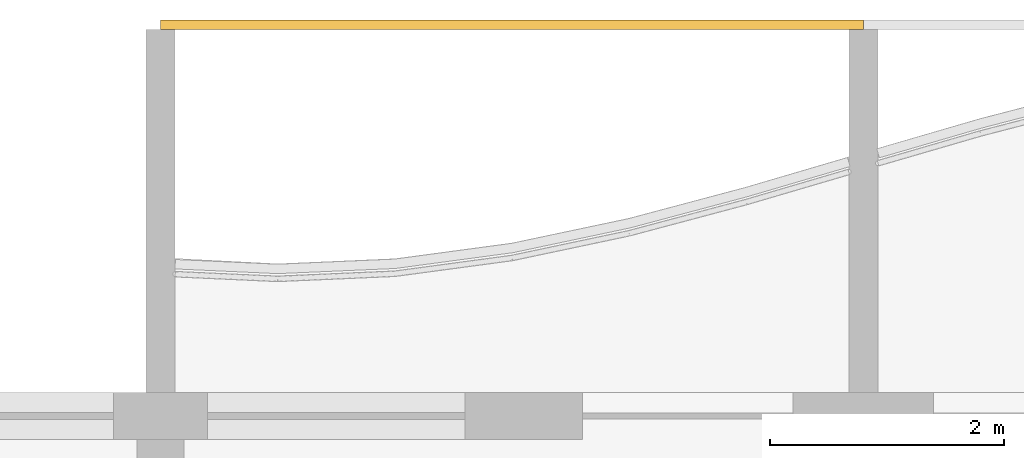
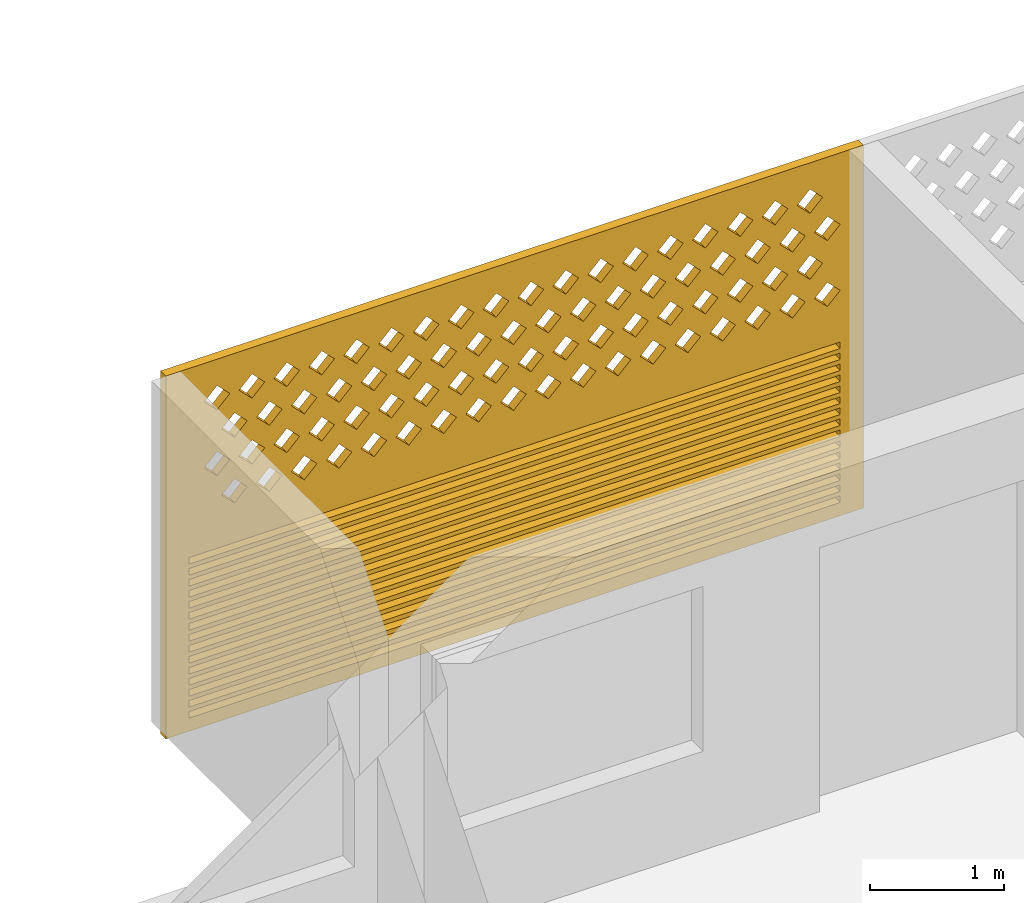
# One storey, part 42 of 44: 1 covering.
"""IFC4 building model written with IfcOpenShell, lengths in metres."""

from ifc_helpers import new_model, si_unit, direction, frame, origin, place, context, subcontext, project, spatial, polyline, outline, extrude, source, transform, mapped, material, material_profile, profile_set, type_object, element, save


model = new_model("IFC4")

# Units and contexts
model_context = context("Model", 3, precision=1e-05, world=origin(), true_north=direction((0.0, 1.0)))
body_context = subcontext(model_context, "Body", "Model", "MODEL_VIEW")
ifc_project = project(units=[si_unit("LENGTHUNIT", "METRE"), si_unit("AREAUNIT", "SQUARE_METRE"), si_unit("VOLUMEUNIT", "CUBIC_METRE"), si_unit("PLANEANGLEUNIT", "RADIAN"), si_unit("MASSUNIT", "GRAM", prefix="KILO")], contexts=[model_context])

# Site, building, storey
site_placement = place(None, origin())
site = spatial("IfcSite", under=ifc_project, at=site_placement, CompositionType="ELEMENT")
building_placement = place(site_placement, origin())
building = spatial("IfcBuilding", under=site, at=building_placement, Name="Poui Terraces", CompositionType="ELEMENT")
storey_placement = place(building_placement, frame((0.0, 0.0, 30.0)))
storey = spatial("IfcBuildingStorey", under=building, at=storey_placement, Name="L07", CompositionType="ELEMENT", Elevation=30.0)

# Covering
ifc_material = material(Name="Terracotta screen", Category="masonry")
ifc_material_profile = material_profile(ifc_material, outline(polyline([(-3.0, -1.64990234375), (3.0, -1.64990234375), (3.0, 1.64990234375), (-3.0, 1.64990234375), (-3.0, -1.64990234375)]), holes=[polyline([(-2.800048828125, 0.39990234375), (-2.68994140625, 0.2900390625), (-2.580078125, 0.39990234375), (-2.68994140625, 0.510009765625), (-2.800048828125, 0.39990234375)]), polyline([(-2.5, 0.39990234375), (-2.389892578125, 0.2900390625), (-2.280029296875, 0.39990234375), (-2.389892578125, 0.510009765625), (-2.5, 0.39990234375)]), polyline([(-2.199951171875, 0.39990234375), (-2.090087890625, 0.2900390625), (-1.97998046875, 0.39990234375), (-2.090087890625, 0.510009765625), (-2.199951171875, 0.39990234375)]), polyline([(-1.89990234375, 0.39990234375), (-1.7900390625, 0.2900390625), (-1.679931640625, 0.39990234375), (-1.7900390625, 0.510009765625), (-1.89990234375, 0.39990234375)]), polyline([(-1.60009765625, 0.39990234375), (-1.489990234375, 0.2900390625), (-1.3798828125, 0.39990234375), (-1.489990234375, 0.510009765625), (-1.60009765625, 0.39990234375)]), polyline([(-1.300048828125, 0.39990234375), (-1.18994140625, 0.2900390625), (-1.080078125, 0.39990234375), (-1.18994140625, 0.510009765625), (-1.300048828125, 0.39990234375)]), polyline([(-1.0, 0.39990234375), (-0.889892578125, 0.2900390625), (-0.780029296875, 0.39990234375), (-0.889892578125, 0.510009765625), (-1.0, 0.39990234375)]), polyline([(-0.699951171875, 0.39990234375), (-0.590087890625, 0.2900390625), (-0.47998046875, 0.39990234375), (-0.590087890625, 0.510009765625), (-0.699951171875, 0.39990234375)]), polyline([(-0.39990234375, 0.39990234375), (-0.2900390625, 0.2900390625), (-0.179931640625, 0.39990234375), (-0.2900390625, 0.510009765625), (-0.39990234375, 0.39990234375)]), polyline([(-0.10009765625, 0.39990234375), (0.010009765625, 0.2900390625), (0.1201171875, 0.39990234375), (0.010009765625, 0.510009765625), (-0.10009765625, 0.39990234375)]), polyline([(0.199951171875, 0.39990234375), (0.31005859375, 0.2900390625), (0.419921875, 0.39990234375), (0.31005859375, 0.510009765625), (0.199951171875, 0.39990234375)]), polyline([(0.5, 0.39990234375), (0.610107421875, 0.2900390625), (0.719970703125, 0.39990234375), (0.610107421875, 0.510009765625), (0.5, 0.39990234375)]), polyline([(0.800048828125, 0.39990234375), (0.909912109375, 0.2900390625), (1.02001953125, 0.39990234375), (0.909912109375, 0.510009765625), (0.800048828125, 0.39990234375)]), polyline([(1.10009765625, 0.39990234375), (1.2099609375, 0.2900390625), (1.320068359375, 0.39990234375), (1.2099609375, 0.510009765625), (1.10009765625, 0.39990234375)]), polyline([(1.39990234375, 0.39990234375), (1.510009765625, 0.2900390625), (1.6201171875, 0.39990234375), (1.510009765625, 0.510009765625), (1.39990234375, 0.39990234375)]), polyline([(1.699951171875, 0.39990234375), (1.81005859375, 0.2900390625), (1.919921875, 0.39990234375), (1.81005859375, 0.510009765625), (1.699951171875, 0.39990234375)]), polyline([(2.0, 0.39990234375), (2.110107421875, 0.2900390625), (2.219970703125, 0.39990234375), (2.110107421875, 0.510009765625), (2.0, 0.39990234375)]), polyline([(2.300048828125, 0.39990234375), (2.409912109375, 0.2900390625), (2.52001953125, 0.39990234375), (2.409912109375, 0.510009765625), (2.300048828125, 0.39990234375)]), polyline([(-2.64990234375, 0.699951171875), (-2.5400390625, 0.590087890625), (-2.429931640625, 0.699951171875), (-2.5400390625, 0.81005859375), (-2.64990234375, 0.699951171875)]), polyline([(-2.35009765625, 0.699951171875), (-2.239990234375, 0.590087890625), (-2.1298828125, 0.699951171875), (-2.239990234375, 0.81005859375), (-2.35009765625, 0.699951171875)]), polyline([(-2.050048828125, 0.699951171875), (-1.93994140625, 0.590087890625), (-1.830078125, 0.699951171875), (-1.93994140625, 0.81005859375), (-2.050048828125, 0.699951171875)]), polyline([(-1.75, 0.699951171875), (-1.639892578125, 0.590087890625), (-1.530029296875, 0.699951171875), (-1.639892578125, 0.81005859375), (-1.75, 0.699951171875)]), polyline([(-1.449951171875, 0.699951171875), (-1.340087890625, 0.590087890625), (-1.22998046875, 0.699951171875), (-1.340087890625, 0.81005859375), (-1.449951171875, 0.699951171875)]), polyline([(-1.14990234375, 0.699951171875), (-1.0400390625, 0.590087890625), (-0.929931640625, 0.699951171875), (-1.0400390625, 0.81005859375), (-1.14990234375, 0.699951171875)]), polyline([(-0.85009765625, 0.699951171875), (-0.739990234375, 0.590087890625), (-0.6298828125, 0.699951171875), (-0.739990234375, 0.81005859375), (-0.85009765625, 0.699951171875)]), polyline([(-0.550048828125, 0.699951171875), (-0.43994140625, 0.590087890625), (-0.330078125, 0.699951171875), (-0.43994140625, 0.81005859375), (-0.550048828125, 0.699951171875)]), polyline([(-0.25, 0.699951171875), (-0.139892578125, 0.590087890625), (-0.030029296875, 0.699951171875), (-0.139892578125, 0.81005859375), (-0.25, 0.699951171875)]), polyline([(0.050048828125, 0.699951171875), (0.159912109375, 0.590087890625), (0.27001953125, 0.699951171875), (0.159912109375, 0.81005859375), (0.050048828125, 0.699951171875)]), polyline([(0.35009765625, 0.699951171875), (0.4599609375, 0.590087890625), (0.570068359375, 0.699951171875), (0.4599609375, 0.81005859375), (0.35009765625, 0.699951171875)]), polyline([(0.64990234375, 0.699951171875), (0.760009765625, 0.590087890625), (0.8701171875, 0.699951171875), (0.760009765625, 0.81005859375), (0.64990234375, 0.699951171875)]), polyline([(0.949951171875, 0.699951171875), (1.06005859375, 0.590087890625), (1.169921875, 0.699951171875), (1.06005859375, 0.81005859375), (0.949951171875, 0.699951171875)]), polyline([(1.25, 0.699951171875), (1.360107421875, 0.590087890625), (1.469970703125, 0.699951171875), (1.360107421875, 0.81005859375), (1.25, 0.699951171875)]), polyline([(1.550048828125, 0.699951171875), (1.659912109375, 0.590087890625), (1.77001953125, 0.699951171875), (1.659912109375, 0.81005859375), (1.550048828125, 0.699951171875)]), polyline([(1.85009765625, 0.699951171875), (1.9599609375, 0.590087890625), (2.070068359375, 0.699951171875), (1.9599609375, 0.81005859375), (1.85009765625, 0.699951171875)]), polyline([(2.14990234375, 0.699951171875), (2.260009765625, 0.590087890625), (2.3701171875, 0.699951171875), (2.260009765625, 0.81005859375), (2.14990234375, 0.699951171875)]), polyline([(2.449951171875, 0.699951171875), (2.56005859375, 0.590087890625), (2.669921875, 0.699951171875), (2.56005859375, 0.81005859375), (2.449951171875, 0.699951171875)]), polyline([(-2.800048828125, 1.0), (-2.68994140625, 0.889892578125), (-2.580078125, 1.0), (-2.68994140625, 1.110107421875), (-2.800048828125, 1.0)]), polyline([(-2.5, 1.0), (-2.389892578125, 0.889892578125), (-2.280029296875, 1.0), (-2.389892578125, 1.110107421875), (-2.5, 1.0)]), polyline([(-2.199951171875, 1.0), (-2.090087890625, 0.889892578125), (-1.97998046875, 1.0), (-2.090087890625, 1.110107421875), (-2.199951171875, 1.0)]), polyline([(-1.89990234375, 1.0), (-1.7900390625, 0.889892578125), (-1.679931640625, 1.0), (-1.7900390625, 1.110107421875), (-1.89990234375, 1.0)]), polyline([(-1.60009765625, 1.0), (-1.489990234375, 0.889892578125), (-1.3798828125, 1.0), (-1.489990234375, 1.110107421875), (-1.60009765625, 1.0)]), polyline([(-1.300048828125, 1.0), (-1.18994140625, 0.889892578125), (-1.080078125, 1.0), (-1.18994140625, 1.110107421875), (-1.300048828125, 1.0)]), polyline([(-1.0, 1.0), (-0.889892578125, 0.889892578125), (-0.780029296875, 1.0), (-0.889892578125, 1.110107421875), (-1.0, 1.0)]), polyline([(-0.699951171875, 1.0), (-0.590087890625, 0.889892578125), (-0.47998046875, 1.0), (-0.590087890625, 1.110107421875), (-0.699951171875, 1.0)]), polyline([(-0.39990234375, 1.0), (-0.2900390625, 0.889892578125), (-0.179931640625, 1.0), (-0.2900390625, 1.110107421875), (-0.39990234375, 1.0)]), polyline([(-0.10009765625, 1.0), (0.010009765625, 0.889892578125), (0.1201171875, 1.0), (0.010009765625, 1.110107421875), (-0.10009765625, 1.0)]), polyline([(0.199951171875, 1.0), (0.31005859375, 0.889892578125), (0.419921875, 1.0), (0.31005859375, 1.110107421875), (0.199951171875, 1.0)]), polyline([(0.5, 1.0), (0.610107421875, 0.889892578125), (0.719970703125, 1.0), (0.610107421875, 1.110107421875), (0.5, 1.0)]), polyline([(0.800048828125, 1.0), (0.909912109375, 0.889892578125), (1.02001953125, 1.0), (0.909912109375, 1.110107421875), (0.800048828125, 1.0)]), polyline([(1.10009765625, 1.0), (1.2099609375, 0.889892578125), (1.320068359375, 1.0), (1.2099609375, 1.110107421875), (1.10009765625, 1.0)]), polyline([(1.39990234375, 1.0), (1.510009765625, 0.889892578125), (1.6201171875, 1.0), (1.510009765625, 1.110107421875), (1.39990234375, 1.0)]), polyline([(1.699951171875, 1.0), (1.81005859375, 0.889892578125), (1.919921875, 1.0), (1.81005859375, 1.110107421875), (1.699951171875, 1.0)]), polyline([(2.0, 1.0), (2.110107421875, 0.889892578125), (2.219970703125, 1.0), (2.110107421875, 1.110107421875), (2.0, 1.0)]), polyline([(2.300048828125, 1.0), (2.409912109375, 0.889892578125), (2.52001953125, 1.0), (2.409912109375, 1.110107421875), (2.300048828125, 1.0)]), polyline([(-2.64990234375, 1.300048828125), (-2.5400390625, 1.18994140625), (-2.429931640625, 1.300048828125), (-2.5400390625, 1.409912109375), (-2.64990234375, 1.300048828125)]), polyline([(-2.35009765625, 1.300048828125), (-2.239990234375, 1.18994140625), (-2.1298828125, 1.300048828125), (-2.239990234375, 1.409912109375), (-2.35009765625, 1.300048828125)]), polyline([(-2.050048828125, 1.300048828125), (-1.93994140625, 1.18994140625), (-1.830078125, 1.300048828125), (-1.93994140625, 1.409912109375), (-2.050048828125, 1.300048828125)]), polyline([(-1.75, 1.300048828125), (-1.639892578125, 1.18994140625), (-1.530029296875, 1.300048828125), (-1.639892578125, 1.409912109375), (-1.75, 1.300048828125)]), polyline([(-1.449951171875, 1.300048828125), (-1.340087890625, 1.18994140625), (-1.22998046875, 1.300048828125), (-1.340087890625, 1.409912109375), (-1.449951171875, 1.300048828125)]), polyline([(-1.14990234375, 1.300048828125), (-1.0400390625, 1.18994140625), (-0.929931640625, 1.300048828125), (-1.0400390625, 1.409912109375), (-1.14990234375, 1.300048828125)]), polyline([(-0.85009765625, 1.300048828125), (-0.739990234375, 1.18994140625), (-0.6298828125, 1.300048828125), (-0.739990234375, 1.409912109375), (-0.85009765625, 1.300048828125)]), polyline([(-0.550048828125, 1.300048828125), (-0.43994140625, 1.18994140625), (-0.330078125, 1.300048828125), (-0.43994140625, 1.409912109375), (-0.550048828125, 1.300048828125)]), polyline([(-0.25, 1.300048828125), (-0.139892578125, 1.18994140625), (-0.030029296875, 1.300048828125), (-0.139892578125, 1.409912109375), (-0.25, 1.300048828125)]), polyline([(0.050048828125, 1.300048828125), (0.159912109375, 1.18994140625), (0.27001953125, 1.300048828125), (0.159912109375, 1.409912109375), (0.050048828125, 1.300048828125)]), polyline([(0.35009765625, 1.300048828125), (0.4599609375, 1.18994140625), (0.570068359375, 1.300048828125), (0.4599609375, 1.409912109375), (0.35009765625, 1.300048828125)]), polyline([(0.64990234375, 1.300048828125), (0.760009765625, 1.18994140625), (0.8701171875, 1.300048828125), (0.760009765625, 1.409912109375), (0.64990234375, 1.300048828125)]), polyline([(0.949951171875, 1.300048828125), (1.06005859375, 1.18994140625), (1.169921875, 1.300048828125), (1.06005859375, 1.409912109375), (0.949951171875, 1.300048828125)]), polyline([(1.25, 1.300048828125), (1.360107421875, 1.18994140625), (1.469970703125, 1.300048828125), (1.360107421875, 1.409912109375), (1.25, 1.300048828125)]), polyline([(1.550048828125, 1.300048828125), (1.659912109375, 1.18994140625), (1.77001953125, 1.300048828125), (1.659912109375, 1.409912109375), (1.550048828125, 1.300048828125)]), polyline([(1.85009765625, 1.300048828125), (1.9599609375, 1.18994140625), (2.070068359375, 1.300048828125), (1.9599609375, 1.409912109375), (1.85009765625, 1.300048828125)]), polyline([(2.14990234375, 1.300048828125), (2.260009765625, 1.18994140625), (2.3701171875, 1.300048828125), (2.260009765625, 1.409912109375), (2.14990234375, 1.300048828125)]), polyline([(2.449951171875, 1.300048828125), (2.56005859375, 1.18994140625), (2.669921875, 1.300048828125), (2.56005859375, 1.409912109375), (2.449951171875, 1.300048828125)]), polyline([(-2.800048828125, -1.530029296875), (2.800048828125, -1.530029296875), (2.800048828125, -1.469970703125), (-2.800048828125, -1.469970703125), (-2.800048828125, -1.530029296875)]), polyline([(-2.800048828125, -1.429931640625), (2.800048828125, -1.429931640625), (2.800048828125, -1.3701171875), (-2.800048828125, -1.3701171875), (-2.800048828125, -1.429931640625)]), polyline([(-2.800048828125, -1.330078125), (2.800048828125, -1.330078125), (2.800048828125, -1.27001953125), (-2.800048828125, -1.27001953125), (-2.800048828125, -1.330078125)]), polyline([(-2.800048828125, -1.22998046875), (2.800048828125, -1.22998046875), (2.800048828125, -1.169921875), (-2.800048828125, -1.169921875), (-2.800048828125, -1.22998046875)]), polyline([(-2.800048828125, -1.1298828125), (2.800048828125, -1.1298828125), (2.800048828125, -1.070068359375), (-2.800048828125, -1.070068359375), (-2.800048828125, -1.1298828125)]), polyline([(-2.800048828125, -1.030029296875), (2.800048828125, -1.030029296875), (2.800048828125, -0.969970703125), (-2.800048828125, -0.969970703125), (-2.800048828125, -1.030029296875)]), polyline([(-2.800048828125, -0.929931640625), (2.800048828125, -0.929931640625), (2.800048828125, -0.8701171875), (-2.800048828125, -0.8701171875), (-2.800048828125, -0.929931640625)]), polyline([(-2.800048828125, -0.830078125), (2.800048828125, -0.830078125), (2.800048828125, -0.77001953125), (-2.800048828125, -0.77001953125), (-2.800048828125, -0.830078125)]), polyline([(-2.800048828125, -0.72998046875), (2.800048828125, -0.72998046875), (2.800048828125, -0.669921875), (-2.800048828125, -0.669921875), (-2.800048828125, -0.72998046875)]), polyline([(-2.800048828125, -0.6298828125), (2.800048828125, -0.6298828125), (2.800048828125, -0.570068359375), (-2.800048828125, -0.570068359375), (-2.800048828125, -0.6298828125)]), polyline([(-2.800048828125, -0.530029296875), (2.800048828125, -0.530029296875), (2.800048828125, -0.469970703125), (-2.800048828125, -0.469970703125), (-2.800048828125, -0.530029296875)]), polyline([(-2.800048828125, -0.429931640625), (2.800048828125, -0.429931640625), (2.800048828125, -0.3701171875), (-2.800048828125, -0.3701171875), (-2.800048828125, -0.429931640625)]), polyline([(-2.800048828125, -0.330078125), (2.800048828125, -0.330078125), (2.800048828125, -0.27001953125), (-2.800048828125, -0.27001953125), (-2.800048828125, -0.330078125)]), polyline([(-2.800048828125, -0.22998046875), (2.800048828125, -0.22998046875), (2.800048828125, -0.169921875), (-2.800048828125, -0.169921875), (-2.800048828125, -0.22998046875)]), polyline([(-2.800048828125, -0.1298828125), (2.800048828125, -0.1298828125), (2.800048828125, -0.070068359375), (-2.800048828125, -0.070068359375), (-2.800048828125, -0.1298828125)])]), Name="TERRACOTTA SCREEN AND JALOUSIE LOUVRE 6000X3300")
ifc_profile_set = profile_set([ifc_material_profile], Name="Terracotta screen")
covering_type = type_object("IfcCoveringType", Name="TERRACOTTA SCREEN AND JALOUSIE LOUVRE 6000X3300", PredefinedType="CLADDING", material=ifc_profile_set)
shared_shape = source(origin(), body_context, "Body", "SweptSolid", [
    extrude(outline(polyline([(-3.0, -1.64990234375), (3.0, -1.64990234375), (3.0, 1.64990234375), (-3.0, 1.64990234375), (-3.0, -1.64990234375)]), holes=[polyline([(-2.800048828125, 0.39990234375), (-2.68994140625, 0.2900390625), (-2.580078125, 0.39990234375), (-2.68994140625, 0.510009765625), (-2.800048828125, 0.39990234375)]), polyline([(-2.5, 0.39990234375), (-2.389892578125, 0.2900390625), (-2.280029296875, 0.39990234375), (-2.389892578125, 0.510009765625), (-2.5, 0.39990234375)]), polyline([(-2.199951171875, 0.39990234375), (-2.090087890625, 0.2900390625), (-1.97998046875, 0.39990234375), (-2.090087890625, 0.510009765625), (-2.199951171875, 0.39990234375)]), polyline([(-1.89990234375, 0.39990234375), (-1.7900390625, 0.2900390625), (-1.679931640625, 0.39990234375), (-1.7900390625, 0.510009765625), (-1.89990234375, 0.39990234375)]), polyline([(-1.60009765625, 0.39990234375), (-1.489990234375, 0.2900390625), (-1.3798828125, 0.39990234375), (-1.489990234375, 0.510009765625), (-1.60009765625, 0.39990234375)]), polyline([(-1.300048828125, 0.39990234375), (-1.18994140625, 0.2900390625), (-1.080078125, 0.39990234375), (-1.18994140625, 0.510009765625), (-1.300048828125, 0.39990234375)]), polyline([(-1.0, 0.39990234375), (-0.889892578125, 0.2900390625), (-0.780029296875, 0.39990234375), (-0.889892578125, 0.510009765625), (-1.0, 0.39990234375)]), polyline([(-0.699951171875, 0.39990234375), (-0.590087890625, 0.2900390625), (-0.47998046875, 0.39990234375), (-0.590087890625, 0.510009765625), (-0.699951171875, 0.39990234375)]), polyline([(-0.39990234375, 0.39990234375), (-0.2900390625, 0.2900390625), (-0.179931640625, 0.39990234375), (-0.2900390625, 0.510009765625), (-0.39990234375, 0.39990234375)]), polyline([(-0.10009765625, 0.39990234375), (0.010009765625, 0.2900390625), (0.1201171875, 0.39990234375), (0.010009765625, 0.510009765625), (-0.10009765625, 0.39990234375)]), polyline([(0.199951171875, 0.39990234375), (0.31005859375, 0.2900390625), (0.419921875, 0.39990234375), (0.31005859375, 0.510009765625), (0.199951171875, 0.39990234375)]), polyline([(0.5, 0.39990234375), (0.610107421875, 0.2900390625), (0.719970703125, 0.39990234375), (0.610107421875, 0.510009765625), (0.5, 0.39990234375)]), polyline([(0.800048828125, 0.39990234375), (0.909912109375, 0.2900390625), (1.02001953125, 0.39990234375), (0.909912109375, 0.510009765625), (0.800048828125, 0.39990234375)]), polyline([(1.10009765625, 0.39990234375), (1.2099609375, 0.2900390625), (1.320068359375, 0.39990234375), (1.2099609375, 0.510009765625), (1.10009765625, 0.39990234375)]), polyline([(1.39990234375, 0.39990234375), (1.510009765625, 0.2900390625), (1.6201171875, 0.39990234375), (1.510009765625, 0.510009765625), (1.39990234375, 0.39990234375)]), polyline([(1.699951171875, 0.39990234375), (1.81005859375, 0.2900390625), (1.919921875, 0.39990234375), (1.81005859375, 0.510009765625), (1.699951171875, 0.39990234375)]), polyline([(2.0, 0.39990234375), (2.110107421875, 0.2900390625), (2.219970703125, 0.39990234375), (2.110107421875, 0.510009765625), (2.0, 0.39990234375)]), polyline([(2.300048828125, 0.39990234375), (2.409912109375, 0.2900390625), (2.52001953125, 0.39990234375), (2.409912109375, 0.510009765625), (2.300048828125, 0.39990234375)]), polyline([(-2.64990234375, 0.699951171875), (-2.5400390625, 0.590087890625), (-2.429931640625, 0.699951171875), (-2.5400390625, 0.81005859375), (-2.64990234375, 0.699951171875)]), polyline([(-2.35009765625, 0.699951171875), (-2.239990234375, 0.590087890625), (-2.1298828125, 0.699951171875), (-2.239990234375, 0.81005859375), (-2.35009765625, 0.699951171875)]), polyline([(-2.050048828125, 0.699951171875), (-1.93994140625, 0.590087890625), (-1.830078125, 0.699951171875), (-1.93994140625, 0.81005859375), (-2.050048828125, 0.699951171875)]), polyline([(-1.75, 0.699951171875), (-1.639892578125, 0.590087890625), (-1.530029296875, 0.699951171875), (-1.639892578125, 0.81005859375), (-1.75, 0.699951171875)]), polyline([(-1.449951171875, 0.699951171875), (-1.340087890625, 0.590087890625), (-1.22998046875, 0.699951171875), (-1.340087890625, 0.81005859375), (-1.449951171875, 0.699951171875)]), polyline([(-1.14990234375, 0.699951171875), (-1.0400390625, 0.590087890625), (-0.929931640625, 0.699951171875), (-1.0400390625, 0.81005859375), (-1.14990234375, 0.699951171875)]), polyline([(-0.85009765625, 0.699951171875), (-0.739990234375, 0.590087890625), (-0.6298828125, 0.699951171875), (-0.739990234375, 0.81005859375), (-0.85009765625, 0.699951171875)]), polyline([(-0.550048828125, 0.699951171875), (-0.43994140625, 0.590087890625), (-0.330078125, 0.699951171875), (-0.43994140625, 0.81005859375), (-0.550048828125, 0.699951171875)]), polyline([(-0.25, 0.699951171875), (-0.139892578125, 0.590087890625), (-0.030029296875, 0.699951171875), (-0.139892578125, 0.81005859375), (-0.25, 0.699951171875)]), polyline([(0.050048828125, 0.699951171875), (0.159912109375, 0.590087890625), (0.27001953125, 0.699951171875), (0.159912109375, 0.81005859375), (0.050048828125, 0.699951171875)]), polyline([(0.35009765625, 0.699951171875), (0.4599609375, 0.590087890625), (0.570068359375, 0.699951171875), (0.4599609375, 0.81005859375), (0.35009765625, 0.699951171875)]), polyline([(0.64990234375, 0.699951171875), (0.760009765625, 0.590087890625), (0.8701171875, 0.699951171875), (0.760009765625, 0.81005859375), (0.64990234375, 0.699951171875)]), polyline([(0.949951171875, 0.699951171875), (1.06005859375, 0.590087890625), (1.169921875, 0.699951171875), (1.06005859375, 0.81005859375), (0.949951171875, 0.699951171875)]), polyline([(1.25, 0.699951171875), (1.360107421875, 0.590087890625), (1.469970703125, 0.699951171875), (1.360107421875, 0.81005859375), (1.25, 0.699951171875)]), polyline([(1.550048828125, 0.699951171875), (1.659912109375, 0.590087890625), (1.77001953125, 0.699951171875), (1.659912109375, 0.81005859375), (1.550048828125, 0.699951171875)]), polyline([(1.85009765625, 0.699951171875), (1.9599609375, 0.590087890625), (2.070068359375, 0.699951171875), (1.9599609375, 0.81005859375), (1.85009765625, 0.699951171875)]), polyline([(2.14990234375, 0.699951171875), (2.260009765625, 0.590087890625), (2.3701171875, 0.699951171875), (2.260009765625, 0.81005859375), (2.14990234375, 0.699951171875)]), polyline([(2.449951171875, 0.699951171875), (2.56005859375, 0.590087890625), (2.669921875, 0.699951171875), (2.56005859375, 0.81005859375), (2.449951171875, 0.699951171875)]), polyline([(-2.800048828125, 1.0), (-2.68994140625, 0.889892578125), (-2.580078125, 1.0), (-2.68994140625, 1.110107421875), (-2.800048828125, 1.0)]), polyline([(-2.5, 1.0), (-2.389892578125, 0.889892578125), (-2.280029296875, 1.0), (-2.389892578125, 1.110107421875), (-2.5, 1.0)]), polyline([(-2.199951171875, 1.0), (-2.090087890625, 0.889892578125), (-1.97998046875, 1.0), (-2.090087890625, 1.110107421875), (-2.199951171875, 1.0)]), polyline([(-1.89990234375, 1.0), (-1.7900390625, 0.889892578125), (-1.679931640625, 1.0), (-1.7900390625, 1.110107421875), (-1.89990234375, 1.0)]), polyline([(-1.60009765625, 1.0), (-1.489990234375, 0.889892578125), (-1.3798828125, 1.0), (-1.489990234375, 1.110107421875), (-1.60009765625, 1.0)]), polyline([(-1.300048828125, 1.0), (-1.18994140625, 0.889892578125), (-1.080078125, 1.0), (-1.18994140625, 1.110107421875), (-1.300048828125, 1.0)]), polyline([(-1.0, 1.0), (-0.889892578125, 0.889892578125), (-0.780029296875, 1.0), (-0.889892578125, 1.110107421875), (-1.0, 1.0)]), polyline([(-0.699951171875, 1.0), (-0.590087890625, 0.889892578125), (-0.47998046875, 1.0), (-0.590087890625, 1.110107421875), (-0.699951171875, 1.0)]), polyline([(-0.39990234375, 1.0), (-0.2900390625, 0.889892578125), (-0.179931640625, 1.0), (-0.2900390625, 1.110107421875), (-0.39990234375, 1.0)]), polyline([(-0.10009765625, 1.0), (0.010009765625, 0.889892578125), (0.1201171875, 1.0), (0.010009765625, 1.110107421875), (-0.10009765625, 1.0)]), polyline([(0.199951171875, 1.0), (0.31005859375, 0.889892578125), (0.419921875, 1.0), (0.31005859375, 1.110107421875), (0.199951171875, 1.0)]), polyline([(0.5, 1.0), (0.610107421875, 0.889892578125), (0.719970703125, 1.0), (0.610107421875, 1.110107421875), (0.5, 1.0)]), polyline([(0.800048828125, 1.0), (0.909912109375, 0.889892578125), (1.02001953125, 1.0), (0.909912109375, 1.110107421875), (0.800048828125, 1.0)]), polyline([(1.10009765625, 1.0), (1.2099609375, 0.889892578125), (1.320068359375, 1.0), (1.2099609375, 1.110107421875), (1.10009765625, 1.0)]), polyline([(1.39990234375, 1.0), (1.510009765625, 0.889892578125), (1.6201171875, 1.0), (1.510009765625, 1.110107421875), (1.39990234375, 1.0)]), polyline([(1.699951171875, 1.0), (1.81005859375, 0.889892578125), (1.919921875, 1.0), (1.81005859375, 1.110107421875), (1.699951171875, 1.0)]), polyline([(2.0, 1.0), (2.110107421875, 0.889892578125), (2.219970703125, 1.0), (2.110107421875, 1.110107421875), (2.0, 1.0)]), polyline([(2.300048828125, 1.0), (2.409912109375, 0.889892578125), (2.52001953125, 1.0), (2.409912109375, 1.110107421875), (2.300048828125, 1.0)]), polyline([(-2.64990234375, 1.300048828125), (-2.5400390625, 1.18994140625), (-2.429931640625, 1.300048828125), (-2.5400390625, 1.409912109375), (-2.64990234375, 1.300048828125)]), polyline([(-2.35009765625, 1.300048828125), (-2.239990234375, 1.18994140625), (-2.1298828125, 1.300048828125), (-2.239990234375, 1.409912109375), (-2.35009765625, 1.300048828125)]), polyline([(-2.050048828125, 1.300048828125), (-1.93994140625, 1.18994140625), (-1.830078125, 1.300048828125), (-1.93994140625, 1.409912109375), (-2.050048828125, 1.300048828125)]), polyline([(-1.75, 1.300048828125), (-1.639892578125, 1.18994140625), (-1.530029296875, 1.300048828125), (-1.639892578125, 1.409912109375), (-1.75, 1.300048828125)]), polyline([(-1.449951171875, 1.300048828125), (-1.340087890625, 1.18994140625), (-1.22998046875, 1.300048828125), (-1.340087890625, 1.409912109375), (-1.449951171875, 1.300048828125)]), polyline([(-1.14990234375, 1.300048828125), (-1.0400390625, 1.18994140625), (-0.929931640625, 1.300048828125), (-1.0400390625, 1.409912109375), (-1.14990234375, 1.300048828125)]), polyline([(-0.85009765625, 1.300048828125), (-0.739990234375, 1.18994140625), (-0.6298828125, 1.300048828125), (-0.739990234375, 1.409912109375), (-0.85009765625, 1.300048828125)]), polyline([(-0.550048828125, 1.300048828125), (-0.43994140625, 1.18994140625), (-0.330078125, 1.300048828125), (-0.43994140625, 1.409912109375), (-0.550048828125, 1.300048828125)]), polyline([(-0.25, 1.300048828125), (-0.139892578125, 1.18994140625), (-0.030029296875, 1.300048828125), (-0.139892578125, 1.409912109375), (-0.25, 1.300048828125)]), polyline([(0.050048828125, 1.300048828125), (0.159912109375, 1.18994140625), (0.27001953125, 1.300048828125), (0.159912109375, 1.409912109375), (0.050048828125, 1.300048828125)]), polyline([(0.35009765625, 1.300048828125), (0.4599609375, 1.18994140625), (0.570068359375, 1.300048828125), (0.4599609375, 1.409912109375), (0.35009765625, 1.300048828125)]), polyline([(0.64990234375, 1.300048828125), (0.760009765625, 1.18994140625), (0.8701171875, 1.300048828125), (0.760009765625, 1.409912109375), (0.64990234375, 1.300048828125)]), polyline([(0.949951171875, 1.300048828125), (1.06005859375, 1.18994140625), (1.169921875, 1.300048828125), (1.06005859375, 1.409912109375), (0.949951171875, 1.300048828125)]), polyline([(1.25, 1.300048828125), (1.360107421875, 1.18994140625), (1.469970703125, 1.300048828125), (1.360107421875, 1.409912109375), (1.25, 1.300048828125)]), polyline([(1.550048828125, 1.300048828125), (1.659912109375, 1.18994140625), (1.77001953125, 1.300048828125), (1.659912109375, 1.409912109375), (1.550048828125, 1.300048828125)]), polyline([(1.85009765625, 1.300048828125), (1.9599609375, 1.18994140625), (2.070068359375, 1.300048828125), (1.9599609375, 1.409912109375), (1.85009765625, 1.300048828125)]), polyline([(2.14990234375, 1.300048828125), (2.260009765625, 1.18994140625), (2.3701171875, 1.300048828125), (2.260009765625, 1.409912109375), (2.14990234375, 1.300048828125)]), polyline([(2.449951171875, 1.300048828125), (2.56005859375, 1.18994140625), (2.669921875, 1.300048828125), (2.56005859375, 1.409912109375), (2.449951171875, 1.300048828125)]), polyline([(-2.800048828125, -1.530029296875), (2.800048828125, -1.530029296875), (2.800048828125, -1.469970703125), (-2.800048828125, -1.469970703125), (-2.800048828125, -1.530029296875)]), polyline([(-2.800048828125, -1.429931640625), (2.800048828125, -1.429931640625), (2.800048828125, -1.3701171875), (-2.800048828125, -1.3701171875), (-2.800048828125, -1.429931640625)]), polyline([(-2.800048828125, -1.330078125), (2.800048828125, -1.330078125), (2.800048828125, -1.27001953125), (-2.800048828125, -1.27001953125), (-2.800048828125, -1.330078125)]), polyline([(-2.800048828125, -1.22998046875), (2.800048828125, -1.22998046875), (2.800048828125, -1.169921875), (-2.800048828125, -1.169921875), (-2.800048828125, -1.22998046875)]), polyline([(-2.800048828125, -1.1298828125), (2.800048828125, -1.1298828125), (2.800048828125, -1.070068359375), (-2.800048828125, -1.070068359375), (-2.800048828125, -1.1298828125)]), polyline([(-2.800048828125, -1.030029296875), (2.800048828125, -1.030029296875), (2.800048828125, -0.969970703125), (-2.800048828125, -0.969970703125), (-2.800048828125, -1.030029296875)]), polyline([(-2.800048828125, -0.929931640625), (2.800048828125, -0.929931640625), (2.800048828125, -0.8701171875), (-2.800048828125, -0.8701171875), (-2.800048828125, -0.929931640625)]), polyline([(-2.800048828125, -0.830078125), (2.800048828125, -0.830078125), (2.800048828125, -0.77001953125), (-2.800048828125, -0.77001953125), (-2.800048828125, -0.830078125)]), polyline([(-2.800048828125, -0.72998046875), (2.800048828125, -0.72998046875), (2.800048828125, -0.669921875), (-2.800048828125, -0.669921875), (-2.800048828125, -0.72998046875)]), polyline([(-2.800048828125, -0.6298828125), (2.800048828125, -0.6298828125), (2.800048828125, -0.570068359375), (-2.800048828125, -0.570068359375), (-2.800048828125, -0.6298828125)]), polyline([(-2.800048828125, -0.530029296875), (2.800048828125, -0.530029296875), (2.800048828125, -0.469970703125), (-2.800048828125, -0.469970703125), (-2.800048828125, -0.530029296875)]), polyline([(-2.800048828125, -0.429931640625), (2.800048828125, -0.429931640625), (2.800048828125, -0.3701171875), (-2.800048828125, -0.3701171875), (-2.800048828125, -0.429931640625)]), polyline([(-2.800048828125, -0.330078125), (2.800048828125, -0.330078125), (2.800048828125, -0.27001953125), (-2.800048828125, -0.27001953125), (-2.800048828125, -0.330078125)]), polyline([(-2.800048828125, -0.22998046875), (2.800048828125, -0.22998046875), (2.800048828125, -0.169921875), (-2.800048828125, -0.169921875), (-2.800048828125, -0.22998046875)]), polyline([(-2.800048828125, -0.1298828125), (2.800048828125, -0.1298828125), (2.800048828125, -0.070068359375), (-2.800048828125, -0.070068359375), (-2.800048828125, -0.1298828125)])]), origin(), (0.0, 0.0, 1.0), 0.079833984375),
])
covering_placement = place(storey_placement, frame((87.0, 48.10009765625, 1.449951171875), z_axis=(0.0, 1.0, 0.0), x_axis=(-1.0, 0.0, 0.0)))
element("IfcCovering", 1, at=covering_placement, inside=storey, type_object=covering_type, Name="SOLAR SCREEN AND JALOUSIE LOUVRE", PredefinedType="CLADDING", context=body_context, shape_type="MappedRepresentation", body=[
    mapped(shared_shape, transform((0.0, 0.0, 0.0))),
])

save(model, "model.ifc")
